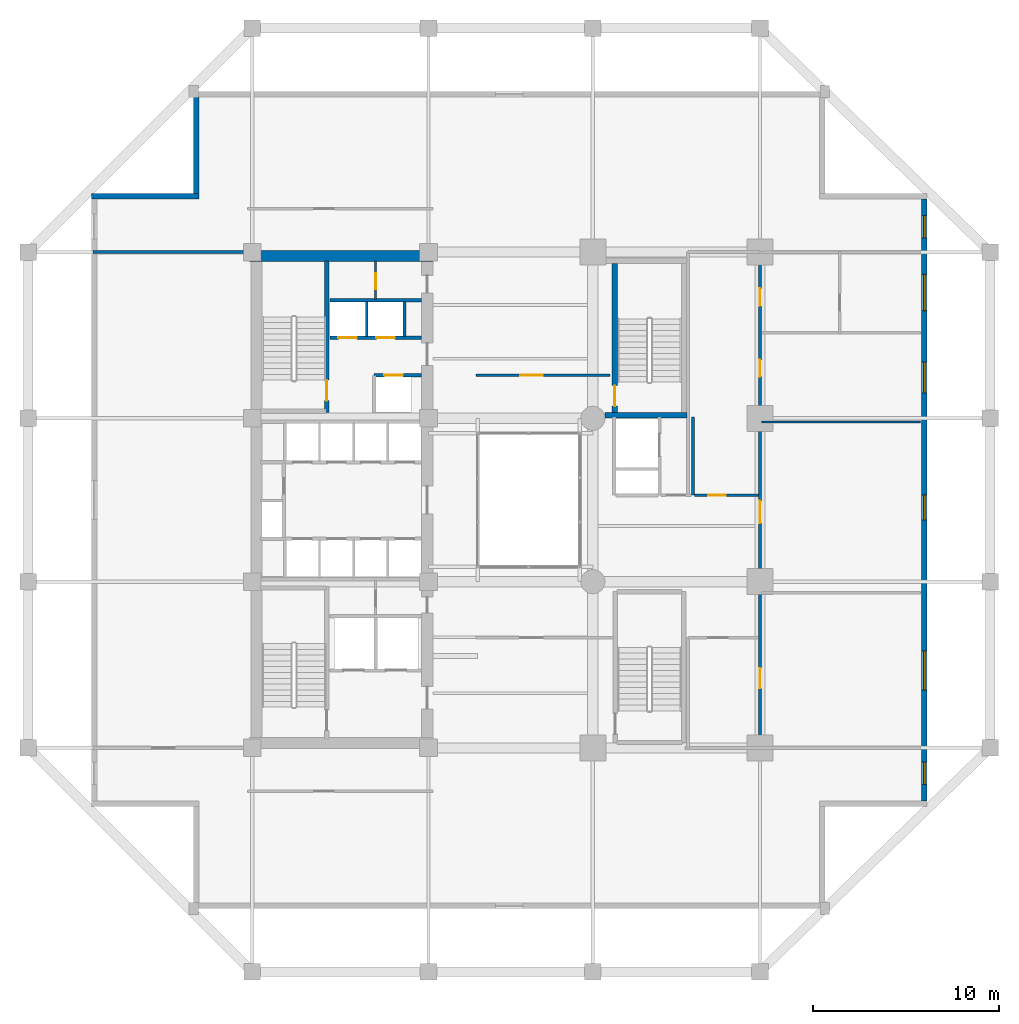
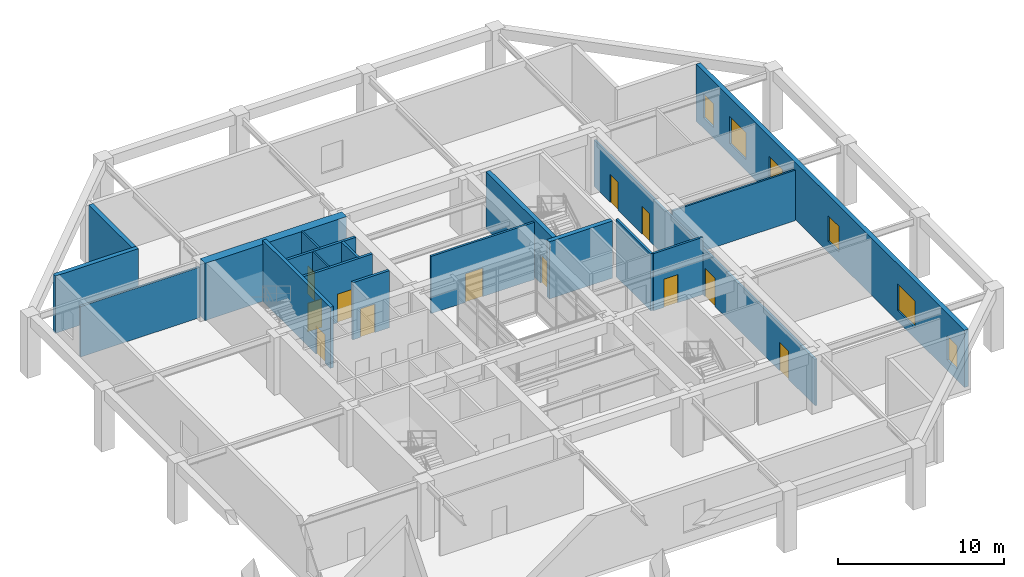
# One storey, part 8 of 10: 19 walls, 12 doors, 6 windows, 18 openings.
"""IFC4 building model written with IfcOpenShell, lengths in metres."""

from ifc_helpers import new_model, si_unit, direction, frame, frame_2d, origin, place, context, subcontext, project, spatial, rectangle, extrude, material, layer, layer_set, type_object, element, fill, save


model = new_model("IFC4")

# Units and contexts
model_context = context("Model", 3, precision=1e-05, world=origin(), true_north=direction((0.0, 1.0)))
body_context = subcontext(model_context, "Body", "Model", "MODEL_VIEW")
ifc_project = project(units=[si_unit("LENGTHUNIT", "METRE"), si_unit("AREAUNIT", "SQUARE_METRE"), si_unit("VOLUMEUNIT", "CUBIC_METRE"), si_unit("PLANEANGLEUNIT", "RADIAN"), si_unit("MASSUNIT", "GRAM", prefix="KILO")], contexts=[model_context])

# Site, building, storey
site_placement = place(None, origin())
site = spatial("IfcSite", under=ifc_project, at=site_placement, CompositionType="ELEMENT")
building_placement = place(site_placement, origin())
building = spatial("IfcBuilding", under=site, at=building_placement, Name="Kundavana Baori Tower", CompositionType="ELEMENT")
storey_placement = place(building_placement, frame((0.0, 0.0, 8.0)))
storey = spatial("IfcBuildingStorey", under=building, at=storey_placement, Name="L01", CompositionType="ELEMENT", Elevation=8.0)

# Wall, opening, door
ifc_material_1 = material(Name="Concrete C50/60", Category="concrete")
ifc_layer_1 = layer(ifc_material_1, 0.39990234375, Name="WL-CORE-400")
ifc_layer_set_1 = layer_set([ifc_layer_1], Name="Concrete C50/60")
wall_type_1 = type_object("IfcWallType", Name="WL-CORE-400", PredefinedType="SHEAR", material=ifc_layer_set_1)
wall_1_placement = place(storey_placement, frame((19.4599609375, 33.300048828125, 0.0), z_axis=(0.0, 0.0, 1.0), x_axis=(0.0, 1.0, 0.0)))
wall_1 = element("IfcWall", 1, at=wall_1_placement, inside=storey, type_object=wall_type_1, Name="WL-L01-ST2-E", PredefinedType="SHEAR", context=body_context, shape_type="SweptSolid", body=[
    extrude(rectangle(XDim=8.179931640625, YDim=0.239990234375, at=frame_2d((4.08984375, 0.0))), origin(), (0.0, 0.0, 1.0), 4.5),
])
opening_1_placement = place(wall_1_placement, frame((0.64990234375, 0.0, 0.0)))
opening_1 = element("IfcOpeningElement", 2, at=opening_1_placement, cuts=wall_1, Name="Opening FD-110", PredefinedType="OPENING", context=body_context, shape_type="SweptSolid", body=[
    extrude(rectangle(XDim=1.10009765625, YDim=2.10009765625, at=frame_2d((0.550048828125, 1.050048828125))), frame((0.0, 0.1298828125, 0.0), z_axis=(0.0, -1.0, 0.0), x_axis=(1.0, 0.0, 0.0)), (0.0, 0.0, 1.0), 0.260009765625),
])
ifc_material_2 = material(Name="Galvanised Steel Fire-Rated Door Leaf", Category="steel")
door_type_1 = type_object("IfcDoorType", Name="DR-FD120-1100", OperationType="NOTDEFINED", PredefinedType="DOOR", material=ifc_material_2)
door_1_placement = place(opening_1_placement, origin())
door_1 = element("IfcDoor", 3, at=door_1_placement, inside=storey, type_object=door_type_1, Name="DR-L01-ST2", OperationType="SINGLE_SWING_RIGHT", OverallHeight=2.10009765625, OverallWidth=1.10009765625, PredefinedType="DOOR", context=body_context, shape_type="SweptSolid", body=[
    extrude(rectangle(XDim=1.10009765625, YDim=2.10009765625, at=frame_2d((0.550048828125, 1.050048828125))), frame((0.0, 0.02490234375, 0.0), z_axis=(0.0, -1.0, 0.0), x_axis=(1.0, 0.0, 0.0)), (0.0, 0.0, 1.0), 0.050048828125),
])
fill(opening_1, door_1)

# Wall
ifc_material_3 = material(Name="Concrete C60/75", Category="concrete")
ifc_layer_2 = layer(ifc_material_3, 0.60009765625, Name="WL-CORE-600")
ifc_layer_set_2 = layer_set([ifc_layer_2], Name="Concrete C60/75")
wall_type_2 = type_object("IfcWallType", Name="WL-CORE-600", PredefinedType="SHEAR", material=ifc_layer_set_2)
wall_2_placement = place(storey_placement, frame((15.300048828125, 41.739990234375, 0.0), z_axis=(0.0, 0.0, 1.0), x_axis=(1.0, 0.0, 0.0)))
element("IfcWall", 4, at=wall_2_placement, inside=storey, type_object=wall_type_2, Name="L01 Offset Core North Shear Wall", PredefinedType="SHEAR", context=body_context, shape_type="SweptSolid", body=[
    extrude(rectangle(XDim=9.8798828125, YDim=0.60009765625, at=frame_2d((4.93994140625, 0.0))), origin(), (0.0, 0.0, 1.0), 4.219970703125),
])

# Wall, openings, windows
ifc_material_4 = material(Name="Red-Buff Dholpur Sandstone Cladding on Concrete C40/50", Category="masonry")
ifc_layer_3 = layer(ifc_material_4, 0.300048828125, Name="WL-EXT-SAND-300")
ifc_layer_set_3 = layer_set([ifc_layer_3], Name="Red-Buff Dholpur Sandstone Cladding on Concrete C40/50")
wall_type_3 = type_object("IfcWallType", Name="WL-EXT-SAND-300", PredefinedType="STANDARD", material=ifc_layer_set_3)
wall_3_placement = place(storey_placement, frame((51.64990234375, 12.39990234375, 0.0), z_axis=(0.0, 0.0, 1.0), x_axis=(0.0, 1.0, 0.0)))
wall_3 = element("IfcWall", 5, at=wall_3_placement, inside=storey, type_object=wall_type_3, Name="L01 Exterior Insulated Facade Wall 04", PredefinedType="STANDARD", context=body_context, shape_type="SweptSolid", body=[
    extrude(rectangle(XDim=32.400146484375, YDim=0.300048828125, at=frame_2d((16.2001953125, 0.0))), origin(), (0.0, 0.0, 1.0), 4.219970703125),
])
opening_2_placement = place(wall_3_placement, frame((0.8798828125, 0.0, 0.800048828125)))
opening_2 = element("IfcOpeningElement", 6, at=opening_2_placement, cuts=wall_3, Name="Opening W-03", PredefinedType="OPENING", context=body_context, shape_type="SweptSolid", body=[
    extrude(rectangle(XDim=1.199951171875, YDim=1.75, at=frame_2d((0.60009765625, 0.875))), frame((0.0, 0.16015625, 0.0), z_axis=(0.0, -1.0, 0.0), x_axis=(1.0, 0.0, 0.0)), (0.0, 0.0, 1.0), 0.320068359375),
])
opening_3_placement = place(wall_3_placement, frame((5.97509765625, 0.0, 0.800048828125)))
opening_3 = element("IfcOpeningElement", 7, at=opening_3_placement, cuts=wall_3, Name="Opening W-05", PredefinedType="OPENING", context=body_context, shape_type="SweptSolid", body=[
    extrude(rectangle(XDim=2.10009765625, YDim=1.949951171875, at=frame_2d((1.050048828125, 0.97509765625))), frame((0.0, 0.16015625, 0.0), z_axis=(0.0, -1.0, 0.0), x_axis=(1.0, 0.0, 0.0)), (0.0, 0.0, 1.0), 0.320068359375),
])
opening_4_placement = place(wall_3_placement, frame((15.125, 0.0, 0.800048828125)))
opening_4 = element("IfcOpeningElement", 8, at=opening_4_placement, cuts=wall_3, Name="Opening W-07", PredefinedType="OPENING", context=body_context, shape_type="SweptSolid", body=[
    extrude(rectangle(XDim=1.35009765625, YDim=1.89990234375, at=frame_2d((0.675048828125, 0.949951171875))), frame((0.0, 0.16015625, 0.0), z_axis=(0.0, -1.0, 0.0), x_axis=(1.0, 0.0, 0.0)), (0.0, 0.0, 1.0), 0.320068359375),
])
opening_5_placement = place(wall_3_placement, frame((21.97509765625, 0.0, 0.800048828125)))
opening_5 = element("IfcOpeningElement", 9, at=opening_5_placement, cuts=wall_3, Name="Opening W-08", PredefinedType="OPENING", context=body_context, shape_type="SweptSolid", body=[
    extrude(rectangle(XDim=1.64990234375, YDim=1.949951171875, at=frame_2d((0.824951171875, 0.97509765625))), frame((0.0, 0.16015625, 0.0), z_axis=(0.0, -1.0, 0.0), x_axis=(1.0, 0.0, 0.0)), (0.0, 0.0, 1.0), 0.320068359375),
])
opening_6_placement = place(wall_3_placement, frame((26.39990234375, 0.0, 0.800048828125)))
opening_6 = element("IfcOpeningElement", 10, at=opening_6_placement, cuts=wall_3, Name="Opening W-09", PredefinedType="OPENING", context=body_context, shape_type="SweptSolid", body=[
    extrude(rectangle(XDim=1.949951171875, YDim=2.0, at=frame_2d((0.97509765625, 1.0))), frame((0.0, 0.16015625, 0.0), z_axis=(0.0, -1.0, 0.0), x_axis=(1.0, 0.0, 0.0)), (0.0, 0.0, 1.0), 0.320068359375),
])
opening_7_placement = place(wall_3_placement, frame((30.320068359375, 0.0, 0.800048828125)))
opening_7 = element("IfcOpeningElement", 11, at=opening_7_placement, cuts=wall_3, Name="Opening W-03", PredefinedType="OPENING", context=body_context, shape_type="SweptSolid", body=[
    extrude(rectangle(XDim=1.199951171875, YDim=1.75, at=frame_2d((0.60009765625, 0.875))), frame((0.0, 0.16015625, 0.0), z_axis=(0.0, -1.0, 0.0), x_axis=(1.0, 0.0, 0.0)), (0.0, 0.0, 1.0), 0.320068359375),
])
ifc_material_5 = material(Name="Double-Glazed Solar-Control Low-E Insulated Glass", Category="glass")
window_type_1 = type_object("IfcWindowType", Name="WIN-LOG-1200x1750", PartitioningType="SINGLE_PANEL", PredefinedType="WINDOW", material=ifc_material_5)
window_1_placement = place(opening_2_placement, origin())
window_1 = element("IfcWindow", 12, at=window_1_placement, inside=storey, type_object=window_type_1, Name="L01 Recessed Loggia Window E-1", OverallHeight=1.75, OverallWidth=1.199951171875, PartitioningType="SINGLE_PANEL", PredefinedType="WINDOW", context=body_context, shape_type="SweptSolid", body=[
    extrude(rectangle(XDim=1.199951171875, YDim=1.75, at=frame_2d((0.60009765625, 0.875))), frame((0.0, 0.030029296875, 0.0), z_axis=(0.0, -1.0, 0.0), x_axis=(1.0, 0.0, 0.0)), (0.0, 0.0, 1.0), 0.06005859375),
])
fill(opening_2, window_1)
window_2_placement = place(opening_7_placement, origin())
window_2 = element("IfcWindow", 13, at=window_2_placement, inside=storey, type_object=window_type_1, Name="L01 Recessed Loggia Window E-6", OverallHeight=1.75, OverallWidth=1.199951171875, PartitioningType="SINGLE_PANEL", PredefinedType="WINDOW", context=body_context, shape_type="SweptSolid", body=[
    extrude(rectangle(XDim=1.199951171875, YDim=1.75, at=frame_2d((0.60009765625, 0.875))), frame((0.0, 0.030029296875, 0.0), z_axis=(0.0, -1.0, 0.0), x_axis=(1.0, 0.0, 0.0)), (0.0, 0.0, 1.0), 0.06005859375),
])
fill(opening_7, window_2)
ifc_material_6 = material(Name="Double-Glazed Solar-Control Low-E Insulated Glass", Category="glass")
window_type_2 = type_object("IfcWindowType", Name="WIN-LOG-1350x1900", PartitioningType="SINGLE_PANEL", PredefinedType="WINDOW", material=ifc_material_6)
window_3_placement = place(opening_4_placement, origin())
window_3 = element("IfcWindow", 14, at=window_3_placement, inside=storey, type_object=window_type_2, Name="L01 Recessed Loggia Window E-3", OverallHeight=1.89990234375, OverallWidth=1.35009765625, PartitioningType="SINGLE_PANEL", PredefinedType="WINDOW", context=body_context, shape_type="SweptSolid", body=[
    extrude(rectangle(XDim=1.35009765625, YDim=1.89990234375, at=frame_2d((0.675048828125, 0.949951171875))), frame((0.0, 0.030029296875, 0.0), z_axis=(0.0, -1.0, 0.0), x_axis=(1.0, 0.0, 0.0)), (0.0, 0.0, 1.0), 0.06005859375),
])
fill(opening_4, window_3)
ifc_material_7 = material(Name="Double-Glazed Solar-Control Low-E Insulated Glass", Category="glass")
window_type_3 = type_object("IfcWindowType", Name="WIN-LOG-1650x1950", PartitioningType="SINGLE_PANEL", PredefinedType="WINDOW", material=ifc_material_7)
window_4_placement = place(opening_5_placement, origin())
window_4 = element("IfcWindow", 15, at=window_4_placement, inside=storey, type_object=window_type_3, Name="L01 Recessed Loggia Window E-4", OverallHeight=1.949951171875, OverallWidth=1.64990234375, PartitioningType="SINGLE_PANEL", PredefinedType="WINDOW", context=body_context, shape_type="SweptSolid", body=[
    extrude(rectangle(XDim=1.64990234375, YDim=1.949951171875, at=frame_2d((0.824951171875, 0.97509765625))), frame((0.0, 0.030029296875, 0.0), z_axis=(0.0, -1.0, 0.0), x_axis=(1.0, 0.0, 0.0)), (0.0, 0.0, 1.0), 0.06005859375),
])
fill(opening_5, window_4)
ifc_material_8 = material(Name="Double-Glazed Solar-Control Low-E Insulated Glass", Category="glass")
window_type_4 = type_object("IfcWindowType", Name="WIN-LOG-1950x2000", PartitioningType="SINGLE_PANEL", PredefinedType="WINDOW", material=ifc_material_8)
window_5_placement = place(opening_6_placement, origin())
window_5 = element("IfcWindow", 16, at=window_5_placement, inside=storey, type_object=window_type_4, Name="L01 Recessed Loggia Window E-5", OverallHeight=2.0, OverallWidth=1.949951171875, PartitioningType="SINGLE_PANEL", PredefinedType="WINDOW", context=body_context, shape_type="SweptSolid", body=[
    extrude(rectangle(XDim=1.949951171875, YDim=2.0, at=frame_2d((0.97509765625, 1.0))), frame((0.0, 0.030029296875, 0.0), z_axis=(0.0, -1.0, 0.0), x_axis=(1.0, 0.0, 0.0)), (0.0, 0.0, 1.0), 0.06005859375),
])
fill(opening_6, window_5)
ifc_material_9 = material(Name="Double-Glazed Solar-Control Low-E Insulated Glass", Category="glass")
window_type_5 = type_object("IfcWindowType", Name="WIN-LOG-2100x1950", PartitioningType="SINGLE_PANEL", PredefinedType="WINDOW", material=ifc_material_9)
window_6_placement = place(opening_3_placement, origin())
window_6 = element("IfcWindow", 17, at=window_6_placement, inside=storey, type_object=window_type_5, Name="L01 Recessed Loggia Window E-2", OverallHeight=1.949951171875, OverallWidth=2.10009765625, PartitioningType="SINGLE_PANEL", PredefinedType="WINDOW", context=body_context, shape_type="SweptSolid", body=[
    extrude(rectangle(XDim=2.10009765625, YDim=1.949951171875, at=frame_2d((1.050048828125, 0.97509765625))), frame((0.0, 0.030029296875, 0.0), z_axis=(0.0, -1.0, 0.0), x_axis=(1.0, 0.0, 0.0)), (0.0, 0.0, 1.0), 0.06005859375),
])
fill(opening_3, window_6)

# Walls
wall_4_placement = place(storey_placement, frame((12.449951171875, 50.300048828125, 0.0), z_axis=(0.0, 0.0, 1.0), x_axis=(0.0, -1.0, 0.0)))
element("IfcWall", 18, at=wall_4_placement, inside=storey, type_object=wall_type_3, Name="L01 Exterior Insulated Facade Wall 08", PredefinedType="STANDARD", context=body_context, shape_type="SweptSolid", body=[
    extrude(rectangle(XDim=5.199951171875, YDim=0.300048828125, at=frame_2d((2.60009765625, 0.0))), origin(), (0.0, 0.0, 1.0), 4.219970703125),
])
wall_5_placement = place(storey_placement, frame((12.60009765625, 44.949951171875, 0.0), z_axis=(0.0, 0.0, 1.0), x_axis=(-1.0, 0.0, 0.0)))
element("IfcWall", 19, at=wall_5_placement, inside=storey, type_object=wall_type_3, Name="L01 Exterior Insulated Facade Wall 09", PredefinedType="STANDARD", context=body_context, shape_type="SweptSolid", body=[
    extrude(rectangle(XDim=5.800048828125, YDim=0.300048828125, at=frame_2d((2.89990234375, 0.0))), origin(), (0.0, 0.0, 1.0), 4.219970703125),
])
ifc_material_10 = material(Name="Acoustic Gypsum Plasterboard on Galvanised Steel Studs", Category="steel")
ifc_layer_4 = layer(ifc_material_10, 0.1201171875, Name="WL-PART-120")
ifc_layer_set_4 = layer_set([ifc_layer_4], Name="Acoustic Gypsum Plasterboard on Galvanised Steel Studs")
wall_type_4 = type_object("IfcWallType", Name="WL-PART-120", PredefinedType="PARTITIONING", material=ifc_layer_set_4)
wall_6_placement = place(storey_placement, frame((21.6201171875, 37.39990234375, 0.0), z_axis=(0.0, 0.0, 1.0), x_axis=(0.0, 1.0, 0.0)))
element("IfcWall", 20, at=wall_6_placement, inside=storey, type_object=wall_type_4, Name="WL-L01-HR-DIV1", PredefinedType="PARTITIONING", context=body_context, shape_type="SweptSolid", body=[
    extrude(rectangle(XDim=1.900146484375, YDim=0.1201171875, at=frame_2d((0.9501953125, 0.0))), origin(), (0.0, 0.0, 1.0), 4.219970703125),
])

# Wall, opening, door
wall_7_placement = place(storey_placement, frame((22.10009765625, 39.39990234375, 0.0), z_axis=(0.0, 0.0, 1.0), x_axis=(0.0, 1.0, 0.0)))
wall_7 = element("IfcWall", 21, at=wall_7_placement, inside=storey, type_object=wall_type_4, Name="WL-L01-CSRV-D1", PredefinedType="PARTITIONING", context=body_context, shape_type="SweptSolid", body=[
    extrude(rectangle(XDim=2.080078125, YDim=0.1201171875, at=frame_2d((1.0400390625, 0.0))), origin(), (0.0, 0.0, 1.0), 4.219970703125),
])
opening_8_placement = place(wall_7_placement, frame((0.550048828125, 0.0, 0.0)))
opening_8 = element("IfcOpeningElement", 22, at=opening_8_placement, cuts=wall_7, Name="Opening FD-085", PredefinedType="OPENING", context=body_context, shape_type="SweptSolid", body=[
    extrude(rectangle(XDim=0.85009765625, YDim=2.06005859375, at=frame_2d((0.425048828125, 1.030029296875))), frame((0.0, 0.070068359375, 0.0), z_axis=(0.0, -1.0, 0.0), x_axis=(1.0, 0.0, 0.0)), (0.0, 0.0, 1.0), 0.14013671875),
])
ifc_material_11 = material(Name="Galvanised Steel Fire-Rated Door Leaf", Category="steel")
door_type_2 = type_object("IfcDoorType", Name="DR-FD60-850", OperationType="NOTDEFINED", PredefinedType="DOOR", material=ifc_material_11)
door_2_placement = place(opening_8_placement, origin())
door_2 = element("IfcDoor", 23, at=door_2_placement, inside=storey, type_object=door_type_2, Name="DR-L01-CSRV1", OperationType="SINGLE_SWING_LEFT", OverallHeight=2.06005859375, OverallWidth=0.85009765625, PredefinedType="DOOR", context=body_context, shape_type="SweptSolid", body=[
    extrude(rectangle(XDim=0.85009765625, YDim=2.06005859375, at=frame_2d((0.425048828125, 1.030029296875))), frame((0.0, 0.02490234375, 0.0), z_axis=(0.0, -1.0, 0.0), x_axis=(1.0, 0.0, 0.0)), (0.0, 0.0, 1.0), 0.050048828125),
])
fill(opening_8, door_2)

# Walls
ifc_material_12 = material(Name="Fire-Rated Gypsum Drywall on Galvanised Steel Studs", Category="steel")
ifc_layer_5 = layer(ifc_material_12, 0.14990234375, Name="WL-PART-150")
ifc_layer_set_5 = layer_set([ifc_layer_5], Name="Fire-Rated Gypsum Drywall on Galvanised Steel Studs")
wall_type_5 = type_object("IfcWallType", Name="WL-PART-150", PredefinedType="PARTITIONING", material=ifc_layer_set_5)
wall_8_placement = place(storey_placement, frame((39.199951171875, 28.860107421875, 0.0), z_axis=(0.0, 0.0, 1.0), x_axis=(0.0, 1.0, 0.0)))
element("IfcWall", 24, at=wall_8_placement, inside=storey, type_object=wall_type_5, Name="WL-L01-SVLOB-E", PredefinedType="PARTITIONING", context=body_context, shape_type="SweptSolid", body=[
    extrude(rectangle(XDim=4.219970703125, YDim=0.14990234375, at=frame_2d((2.10986328125, 0.0))), origin(), (0.0, 0.0, 1.0), 4.219970703125),
])
wall_9_placement = place(storey_placement, frame((6.8798828125, 41.949951171875, 0.0), z_axis=(0.0, 0.0, 1.0), x_axis=(1.0, 0.0, 0.0)))
element("IfcWall", 25, at=wall_9_placement, inside=storey, type_object=wall_type_5, Name="WL-L01-PW-N", PredefinedType="PARTITIONING", context=body_context, shape_type="SweptSolid", body=[
    extrude(rectangle(XDim=8.320068359375, YDim=0.14990234375, at=frame_2d((4.16015625, 0.0))), origin(), (0.0, 0.0, 1.0), 3.719970703125),
])

# Wall, opening, door
wall_10_placement = place(storey_placement, frame((27.5, 35.320068359375, 0.0), z_axis=(0.0, 0.0, 1.0), x_axis=(1.0, 0.0, 0.0)))
wall_10 = element("IfcWall", 26, at=wall_10_placement, inside=storey, type_object=wall_type_5, Name="WL-L01-PODN", PredefinedType="PARTITIONING", context=body_context, shape_type="SweptSolid", body=[
    extrude(rectangle(XDim=7.219970703125, YDim=0.14990234375, at=frame_2d((3.60986328125, 0.0))), origin(), (0.0, 0.0, 1.0), 4.219970703125),
])
opening_9_placement = place(wall_10_placement, frame((2.39990234375, 0.0, 0.0)))
opening_9 = element("IfcOpeningElement", 27, at=opening_9_placement, cuts=wall_10, Name="Opening ID-120", PredefinedType="OPENING", context=body_context, shape_type="SweptSolid", body=[
    extrude(rectangle(XDim=1.199951171875, YDim=2.10009765625, at=frame_2d((0.60009765625, 1.050048828125))), frame((0.0, 0.0849609375, 0.0), z_axis=(0.0, -1.0, 0.0), x_axis=(1.0, 0.0, 0.0)), (0.0, 0.0, 1.0), 0.169921875),
])
ifc_material_13 = material(Name="Engineered Teak Solid-Core Timber Veneer", Category="wood")
door_type_3 = type_object("IfcDoorType", Name="DR-INT-1200", OperationType="NOTDEFINED", PredefinedType="DOOR", material=ifc_material_13)
door_3_placement = place(opening_9_placement, origin())
door_3 = element("IfcDoor", 28, at=door_3_placement, inside=storey, type_object=door_type_3, Name="DR-L01-GALN", OperationType="SINGLE_SWING_RIGHT", OverallHeight=2.10009765625, OverallWidth=1.199951171875, PredefinedType="DOOR", context=body_context, shape_type="SweptSolid", body=[
    extrude(rectangle(XDim=1.199951171875, YDim=2.10009765625, at=frame_2d((0.60009765625, 1.050048828125))), frame((0.0, 0.02490234375, 0.0), z_axis=(0.0, -1.0, 0.0), x_axis=(1.0, 0.0, 0.0)), (0.0, 0.0, 1.0), 0.050048828125),
])
fill(opening_9, door_3)

# Wall, openings, doors
wall_11_placement = place(storey_placement, frame((42.800048828125, 15.25, 0.0), z_axis=(0.0, 0.0, 1.0), x_axis=(0.0, 1.0, 0.0)))
wall_11 = element("IfcWall", 29, at=wall_11_placement, inside=storey, type_object=wall_type_5, Name="WL-L01-PODE", PredefinedType="PARTITIONING", context=body_context, shape_type="SweptSolid", body=[
    extrude(rectangle(XDim=26.699951171875, YDim=0.14990234375, at=frame_2d((13.35009765625, 0.0))), origin(), (0.0, 0.0, 1.0), 3.419921875),
])
opening_10_placement = place(wall_11_placement, frame((3.199951171875, 0.0, 0.0)))
opening_10 = element("IfcOpeningElement", 30, at=opening_10_placement, cuts=wall_11, Name="Opening ID-110", PredefinedType="OPENING", context=body_context, shape_type="SweptSolid", body=[
    extrude(rectangle(XDim=1.10009765625, YDim=2.080078125, at=frame_2d((0.550048828125, 1.0400390625))), frame((0.0, 0.0849609375, 0.0), z_axis=(0.0, -1.0, 0.0), x_axis=(1.0, 0.0, 0.0)), (0.0, 0.0, 1.0), 0.169921875),
])
opening_11_placement = place(wall_11_placement, frame((12.10009765625, 0.0, 0.0)))
opening_11 = element("IfcOpeningElement", 31, at=opening_11_placement, cuts=wall_11, Name="Opening ID-120", PredefinedType="OPENING", context=body_context, shape_type="SweptSolid", body=[
    extrude(rectangle(XDim=1.199951171875, YDim=2.10009765625, at=frame_2d((0.60009765625, 1.050048828125))), frame((0.0, 0.0849609375, 0.0), z_axis=(0.0, -1.0, 0.0), x_axis=(1.0, 0.0, 0.0)), (0.0, 0.0, 1.0), 0.169921875),
])
opening_12_placement = place(wall_11_placement, frame((20.0, 0.0, 0.0)))
opening_12 = element("IfcOpeningElement", 32, at=opening_12_placement, cuts=wall_11, Name="Opening WD-090", PredefinedType="OPENING", context=body_context, shape_type="SweptSolid", body=[
    extrude(rectangle(XDim=0.89990234375, YDim=2.050048828125, at=frame_2d((0.449951171875, 1.02490234375))), frame((0.0, 0.0849609375, 0.0), z_axis=(0.0, -1.0, 0.0), x_axis=(1.0, 0.0, 0.0)), (0.0, 0.0, 1.0), 0.169921875),
])
opening_13_placement = place(wall_11_placement, frame((23.800048828125, 0.0, 0.0)))
opening_13 = element("IfcOpeningElement", 33, at=opening_13_placement, cuts=wall_11, Name="Opening WD-095", PredefinedType="OPENING", context=body_context, shape_type="SweptSolid", body=[
    extrude(rectangle(XDim=0.949951171875, YDim=2.050048828125, at=frame_2d((0.47509765625, 1.02490234375))), frame((0.0, 0.0849609375, 0.0), z_axis=(0.0, -1.0, 0.0), x_axis=(1.0, 0.0, 0.0)), (0.0, 0.0, 1.0), 0.169921875),
])
ifc_material_14 = material(Name="Engineered Teak Solid-Core Timber Veneer", Category="wood")
door_type_4 = type_object("IfcDoorType", Name="DR-INT-1100", OperationType="NOTDEFINED", PredefinedType="DOOR", material=ifc_material_14)
door_4_placement = place(opening_10_placement, origin())
door_4 = element("IfcDoor", 34, at=door_4_placement, inside=storey, type_object=door_type_4, Name="DR-L01-RETE1", OperationType="SINGLE_SWING_LEFT", OverallHeight=2.080078125, OverallWidth=1.10009765625, PredefinedType="DOOR", context=body_context, shape_type="SweptSolid", body=[
    extrude(rectangle(XDim=1.10009765625, YDim=2.080078125, at=frame_2d((0.550048828125, 1.0400390625))), frame((0.0, 0.02490234375, 0.0), z_axis=(0.0, -1.0, 0.0), x_axis=(1.0, 0.0, 0.0)), (0.0, 0.0, 1.0), 0.050048828125),
])
fill(opening_10, door_4)
door_5_placement = place(opening_11_placement, origin())
door_5 = element("IfcDoor", 35, at=door_5_placement, inside=storey, type_object=door_type_3, Name="DR-L01-DINE", OperationType="SINGLE_SWING_RIGHT", OverallHeight=2.10009765625, OverallWidth=1.199951171875, PredefinedType="DOOR", context=body_context, shape_type="SweptSolid", body=[
    extrude(rectangle(XDim=1.199951171875, YDim=2.10009765625, at=frame_2d((0.60009765625, 1.050048828125))), frame((0.0, 0.02490234375, 0.0), z_axis=(0.0, -1.0, 0.0), x_axis=(1.0, 0.0, 0.0)), (0.0, 0.0, 1.0), 0.050048828125),
])
fill(opening_11, door_5)
ifc_material_15 = material(Name="Engineered Teak Solid-Core Timber Veneer", Category="wood")
door_type_5 = type_object("IfcDoorType", Name="DR-WET-900", OperationType="NOTDEFINED", PredefinedType="DOOR", material=ifc_material_15)
door_6_placement = place(opening_12_placement, origin())
door_6 = element("IfcDoor", 36, at=door_6_placement, inside=storey, type_object=door_type_5, Name="DR-L01-WCP", OperationType="SINGLE_SWING_LEFT", OverallHeight=2.050048828125, OverallWidth=0.89990234375, PredefinedType="DOOR", context=body_context, shape_type="SweptSolid", body=[
    extrude(rectangle(XDim=0.89990234375, YDim=2.050048828125, at=frame_2d((0.449951171875, 1.02490234375))), frame((0.0, 0.02490234375, 0.0), z_axis=(0.0, -1.0, 0.0), x_axis=(1.0, 0.0, 0.0)), (0.0, 0.0, 1.0), 0.050048828125),
])
fill(opening_12, door_6)
ifc_material_16 = material(Name="Engineered Teak Solid-Core Timber Veneer", Category="wood")
door_type_6 = type_object("IfcDoorType", Name="DR-WET-950", OperationType="NOTDEFINED", PredefinedType="DOOR", material=ifc_material_16)
door_7_placement = place(opening_13_placement, origin())
door_7 = element("IfcDoor", 37, at=door_7_placement, inside=storey, type_object=door_type_6, Name="DR-L01-WCA", OperationType="SINGLE_SWING_RIGHT", OverallHeight=2.050048828125, OverallWidth=0.949951171875, PredefinedType="DOOR", context=body_context, shape_type="SweptSolid", body=[
    extrude(rectangle(XDim=0.949951171875, YDim=2.050048828125, at=frame_2d((0.47509765625, 1.02490234375))), frame((0.0, 0.02490234375, 0.0), z_axis=(0.0, -1.0, 0.0), x_axis=(1.0, 0.0, 0.0)), (0.0, 0.0, 1.0), 0.050048828125),
])
fill(opening_13, door_7)

# Wall, opening, door
wall_12_placement = place(storey_placement, frame((39.280029296875, 28.860107421875, 0.0), z_axis=(0.0, 0.0, 1.0), x_axis=(1.0, 0.0, 0.0)))
wall_12 = element("IfcWall", 38, at=wall_12_placement, inside=storey, type_object=wall_type_5, Name="WL-L01-PEATS", PredefinedType="PARTITIONING", context=body_context, shape_type="SweptSolid", body=[
    extrude(rectangle(XDim=3.43994140625, YDim=0.14990234375, at=frame_2d((1.719970703125, 0.0))), origin(), (0.0, 0.0, 1.0), 4.219970703125),
])
opening_14_placement = place(wall_12_placement, frame((0.739990234375, 0.0, 0.0)))
opening_14 = element("IfcOpeningElement", 39, at=opening_14_placement, cuts=wall_12, Name="Opening ID-095", PredefinedType="OPENING", context=body_context, shape_type="SweptSolid", body=[
    extrude(rectangle(XDim=0.949951171875, YDim=2.080078125, at=frame_2d((0.47509765625, 1.0400390625))), frame((0.0, 0.0849609375, 0.0), z_axis=(0.0, -1.0, 0.0), x_axis=(1.0, 0.0, 0.0)), (0.0, 0.0, 1.0), 0.169921875),
])
ifc_material_17 = material(Name="Engineered Teak Solid-Core Timber Veneer", Category="wood")
door_type_7 = type_object("IfcDoorType", Name="DR-INT-950", OperationType="NOTDEFINED", PredefinedType="DOOR", material=ifc_material_17)
door_8_placement = place(opening_14_placement, frame((0.949951171875, 0.0, 0.0), z_axis=(0.0, 0.0, 1.0), x_axis=(-1.0, 0.0, 0.0)))
door_8 = element("IfcDoor", 40, at=door_8_placement, inside=storey, type_object=door_type_7, Name="DR-L01-SLEA", OperationType="SINGLE_SWING_LEFT", OverallHeight=2.080078125, OverallWidth=0.949951171875, PredefinedType="DOOR", context=body_context, shape_type="SweptSolid", body=[
    extrude(rectangle(XDim=0.949951171875, YDim=2.080078125, at=frame_2d((0.47509765625, 1.0400390625))), frame((0.0, 0.02490234375, 0.0), z_axis=(0.0, -1.0, 0.0), x_axis=(1.0, 0.0, 0.0)), (0.0, 0.0, 1.0), 0.050048828125),
])
fill(opening_14, door_8)

ifc_material_18 = material(Name="Autoclaved Aerated Concrete Blockwork Masonry", Category="masonry")
ifc_layer_6 = layer(ifc_material_18, 0.179931640625, Name="WL-SHAFT-180")
ifc_layer_set_6 = layer_set([ifc_layer_6], Name="Autoclaved Aerated Concrete Blockwork Masonry")
wall_type_6 = type_object("IfcWallType", Name="WL-SHAFT-180", PredefinedType="SOLIDWALL", material=ifc_layer_set_6)
wall_13_placement = place(storey_placement, frame((22.02001953125, 35.31005859375, 0.0), z_axis=(0.0, 0.0, 1.0), x_axis=(1.0, 0.0, 0.0)))
wall_13 = element("IfcWall", 41, at=wall_13_placement, inside=storey, type_object=wall_type_6, Name="WL-L01-LP11-N", PredefinedType="SOLIDWALL", context=body_context, shape_type="SweptSolid", body=[
    extrude(rectangle(XDim=2.56005859375, YDim=0.179931640625, at=frame_2d((1.280029296875, 0.0))), origin(), (0.0, 0.0, 1.0), 4.219970703125),
])
opening_15_placement = place(wall_13_placement, frame((0.550048828125, 0.0, 0.0)))
opening_15 = element("IfcOpeningElement", 42, at=opening_15_placement, cuts=wall_13, Name="Opening LD-100", PredefinedType="OPENING", context=body_context, shape_type="SweptSolid", body=[
    extrude(rectangle(XDim=1.0, YDim=2.10009765625, at=frame_2d((0.5, 1.050048828125))), frame((0.0, 0.10009765625, 0.0), z_axis=(0.0, -1.0, 0.0), x_axis=(1.0, 0.0, 0.0)), (0.0, 0.0, 1.0), 0.199951171875),
])
ifc_material_19 = material(Name="Galvanised Steel Fire-Rated Door Leaf", Category="steel")
door_type_8 = type_object("IfcDoorType", Name="DR-SLIDE-LD1000", OperationType="NOTDEFINED", PredefinedType="DOOR", material=ifc_material_19)
door_9_placement = place(opening_15_placement, origin())
door_9 = element("IfcDoor", 43, at=door_9_placement, inside=storey, type_object=door_type_8, Name="DR-L01-LD-LP11", OperationType="DOUBLE_DOOR_SLIDING", OverallHeight=2.10009765625, OverallWidth=1.0, PredefinedType="DOOR", context=body_context, shape_type="SweptSolid", body=[
    extrude(rectangle(XDim=1.0, YDim=2.10009765625, at=frame_2d((0.5, 1.050048828125))), frame((0.0, 0.02490234375, 0.0), z_axis=(0.0, -1.0, 0.0), x_axis=(1.0, 0.0, 0.0)), (0.0, 0.0, 1.0), 0.050048828125),
])
fill(opening_15, door_9)

# Wall, openings, doors
wall_14_placement = place(storey_placement, frame((19.639892578125, 37.340087890625, 0.0), z_axis=(0.0, 0.0, 1.0), x_axis=(1.0, 0.0, 0.0)))
wall_14 = element("IfcWall", 44, at=wall_14_placement, inside=storey, type_object=wall_type_6, Name="WL-L01-HRLOB-N", PredefinedType="SOLIDWALL", context=body_context, shape_type="SweptSolid", body=[
    extrude(rectangle(XDim=4.940185546875, YDim=0.179931640625, at=frame_2d((2.47021484375, 0.0))), origin(), (0.0, 0.0, 1.0), 4.219970703125),
])
opening_16_placement = place(wall_14_placement, frame((0.449951171875, 0.0, 0.0)))
opening_16 = element("IfcOpeningElement", 45, at=opening_16_placement, cuts=wall_14, Name="Opening LD-100", PredefinedType="OPENING", context=body_context, shape_type="SweptSolid", body=[
    extrude(rectangle(XDim=1.0, YDim=2.10009765625, at=frame_2d((0.5, 1.050048828125))), frame((0.0, 0.10009765625, 0.0), z_axis=(0.0, -1.0, 0.0), x_axis=(1.0, 0.0, 0.0)), (0.0, 0.0, 1.0), 0.199951171875),
])
opening_17_placement = place(wall_14_placement, frame((2.5, 0.0, 0.0)))
opening_17 = element("IfcOpeningElement", 46, at=opening_17_placement, cuts=wall_14, Name="Opening LD-100", PredefinedType="OPENING", context=body_context, shape_type="SweptSolid", body=[
    extrude(rectangle(XDim=1.0, YDim=2.10009765625, at=frame_2d((0.5, 1.050048828125))), frame((0.0, 0.10009765625, 0.0), z_axis=(0.0, -1.0, 0.0), x_axis=(1.0, 0.0, 0.0)), (0.0, 0.0, 1.0), 0.199951171875),
])
door_10_placement = place(opening_16_placement, frame((1.0, 0.0, 0.0), z_axis=(0.0, 0.0, 1.0), x_axis=(-1.0, 0.0, 0.0)))
door_10 = element("IfcDoor", 47, at=door_10_placement, inside=storey, type_object=door_type_8, Name="DR-L01-LD-LP09", OperationType="DOUBLE_DOOR_SLIDING", OverallHeight=2.10009765625, OverallWidth=1.0, PredefinedType="DOOR", context=body_context, shape_type="SweptSolid", body=[
    extrude(rectangle(XDim=1.0, YDim=2.10009765625, at=frame_2d((0.5, 1.050048828125))), frame((0.0, 0.02490234375, 0.0), z_axis=(0.0, -1.0, 0.0), x_axis=(1.0, 0.0, 0.0)), (0.0, 0.0, 1.0), 0.050048828125),
])
fill(opening_16, door_10)
door_11_placement = place(opening_17_placement, frame((1.0, 0.0, 0.0), z_axis=(0.0, 0.0, 1.0), x_axis=(-1.0, 0.0, 0.0)))
door_11 = element("IfcDoor", 48, at=door_11_placement, inside=storey, type_object=door_type_8, Name="DR-L01-LD-LP10", OperationType="DOUBLE_DOOR_SLIDING", OverallHeight=2.10009765625, OverallWidth=1.0, PredefinedType="DOOR", context=body_context, shape_type="SweptSolid", body=[
    extrude(rectangle(XDim=1.0, YDim=2.10009765625, at=frame_2d((0.5, 1.050048828125))), frame((0.0, 0.02490234375, 0.0), z_axis=(0.0, -1.0, 0.0), x_axis=(1.0, 0.0, 0.0)), (0.0, 0.0, 1.0), 0.050048828125),
])
fill(opening_17, door_11)

# Walls
wall_15_placement = place(storey_placement, frame((19.639892578125, 39.360107421875, 0.0), z_axis=(0.0, 0.0, 1.0), x_axis=(1.0, 0.0, 0.0)))
element("IfcWall", 49, at=wall_15_placement, inside=storey, type_object=wall_type_6, Name="WL-L01-HRLOB-TOP", PredefinedType="SOLIDWALL", context=body_context, shape_type="SweptSolid", body=[
    extrude(rectangle(XDim=4.940185546875, YDim=0.179931640625, at=frame_2d((2.47021484375, 0.0))), origin(), (0.0, 0.0, 1.0), 4.219970703125),
])
wall_16_placement = place(storey_placement, frame((23.659912109375, 37.39990234375, 0.0), z_axis=(0.0, 0.0, 1.0), x_axis=(0.0, 1.0, 0.0)))
element("IfcWall", 50, at=wall_16_placement, inside=storey, type_object=wall_type_6, Name="WL-L01-HR-DIV2", PredefinedType="SOLIDWALL", context=body_context, shape_type="SweptSolid", body=[
    extrude(rectangle(XDim=1.900146484375, YDim=0.179931640625, at=frame_2d((0.9501953125, 0.0))), origin(), (0.0, 0.0, 1.0), 4.219970703125),
])
ifc_material_20 = material(Name="Concrete C50/60", Category="concrete")
ifc_layer_7 = layer(ifc_material_20, 0.300048828125, Name="WL-ST3-300")
ifc_layer_set_7 = layer_set([ifc_layer_7], Name="Concrete C50/60")
wall_type_7 = type_object("IfcWallType", Name="WL-ST3-300", PredefinedType="SHEAR", material=ifc_layer_set_7)
wall_17_placement = place(storey_placement, frame((34.449951171875, 33.159912109375, 0.0), z_axis=(0.0, 0.0, 1.0), x_axis=(1.0, 0.0, 0.0)))
element("IfcWall", 51, at=wall_17_placement, inside=storey, type_object=wall_type_7, Name="L01 Stair ST3 South Shear Wall", PredefinedType="SHEAR", context=body_context, shape_type="SweptSolid", body=[
    extrude(rectangle(XDim=4.420166015625, YDim=0.300048828125, at=frame_2d((2.2099609375, 0.0))), origin(), (0.0, 0.0, 1.0), 4.219970703125),
])

# Wall, opening, door
wall_18_placement = place(storey_placement, frame((34.97998046875, 33.31005859375, 0.0), z_axis=(0.0, 0.0, 1.0), x_axis=(0.0, 1.0, 0.0)))
wall_18 = element("IfcWall", 52, at=wall_18_placement, inside=storey, type_object=wall_type_7, Name="L01 Stair ST3 West Shear Wall", PredefinedType="SHEAR", context=body_context, shape_type="SweptSolid", body=[
    extrude(rectangle(XDim=8.030029296875, YDim=0.300048828125, at=frame_2d((4.01513671875, 0.0))), origin(), (0.0, 0.0, 1.0), 4.219970703125),
])
opening_18_placement = place(wall_18_placement, frame((0.35009765625, 0.0, 0.0)))
opening_18 = element("IfcOpeningElement", 53, at=opening_18_placement, cuts=wall_18, Name="Opening FD-110", PredefinedType="OPENING", context=body_context, shape_type="SweptSolid", body=[
    extrude(rectangle(XDim=1.10009765625, YDim=2.10009765625, at=frame_2d((0.550048828125, 1.050048828125))), frame((0.0, 0.16015625, 0.0), z_axis=(0.0, -1.0, 0.0), x_axis=(1.0, 0.0, 0.0)), (0.0, 0.0, 1.0), 0.320068359375),
])
door_12_placement = place(opening_18_placement, origin())
door_12 = element("IfcDoor", 54, at=door_12_placement, inside=storey, type_object=door_type_1, Name="DR-L01-ST3-W", OperationType="SINGLE_SWING_LEFT", OverallHeight=2.10009765625, OverallWidth=1.10009765625, PredefinedType="DOOR", context=body_context, shape_type="SweptSolid", body=[
    extrude(rectangle(XDim=1.10009765625, YDim=2.10009765625, at=frame_2d((0.550048828125, 1.050048828125))), frame((0.0, 0.02490234375, 0.0), z_axis=(0.0, -1.0, 0.0), x_axis=(1.0, 0.0, 0.0)), (0.0, 0.0, 1.0), 0.050048828125),
])
fill(opening_18, door_12)

# Wall
ifc_material_21 = material(Name="Autoclaved Aerated Concrete Blockwork Masonry", Category="masonry")
ifc_layer_8 = layer(ifc_material_21, 0.125, Name="WL-WET-120")
ifc_layer_set_8 = layer_set([ifc_layer_8], Name="Autoclaved Aerated Concrete Blockwork Masonry")
wall_type_8 = type_object("IfcWallType", Name="WL-WET-120", PredefinedType="PLUMBINGWALL", material=ifc_layer_set_8)
wall_19_placement = place(storey_placement, frame((42.8798828125, 32.800048828125, 0.0), z_axis=(0.0, 0.0, 1.0), x_axis=(1.0, 0.0, 0.0)))
element("IfcWall", 55, at=wall_19_placement, inside=storey, type_object=wall_type_8, Name="WL-L01-ED2", PredefinedType="PLUMBINGWALL", context=body_context, shape_type="SweptSolid", body=[
    extrude(rectangle(XDim=8.570068359375, YDim=0.125, at=frame_2d((4.28515625, 0.0))), origin(), (0.0, 0.0, 1.0), 3.719970703125),
])

save(model, "model.ifc")
